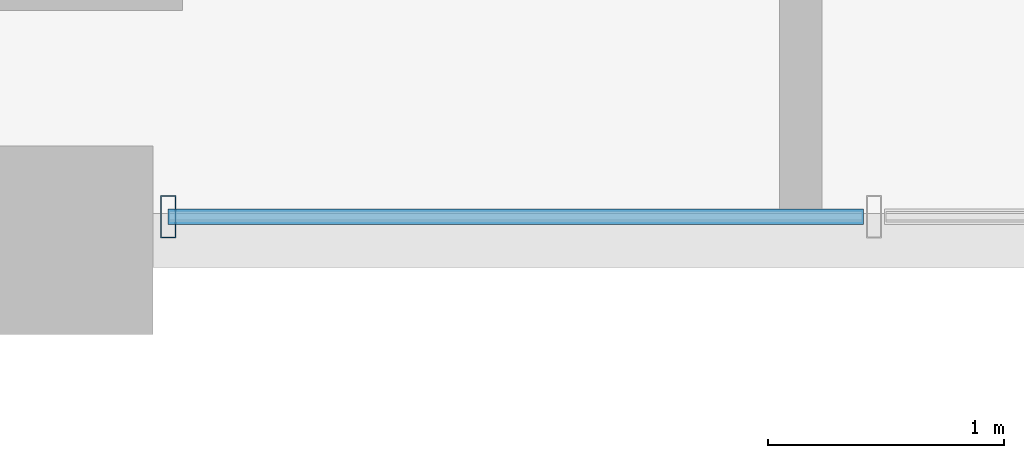
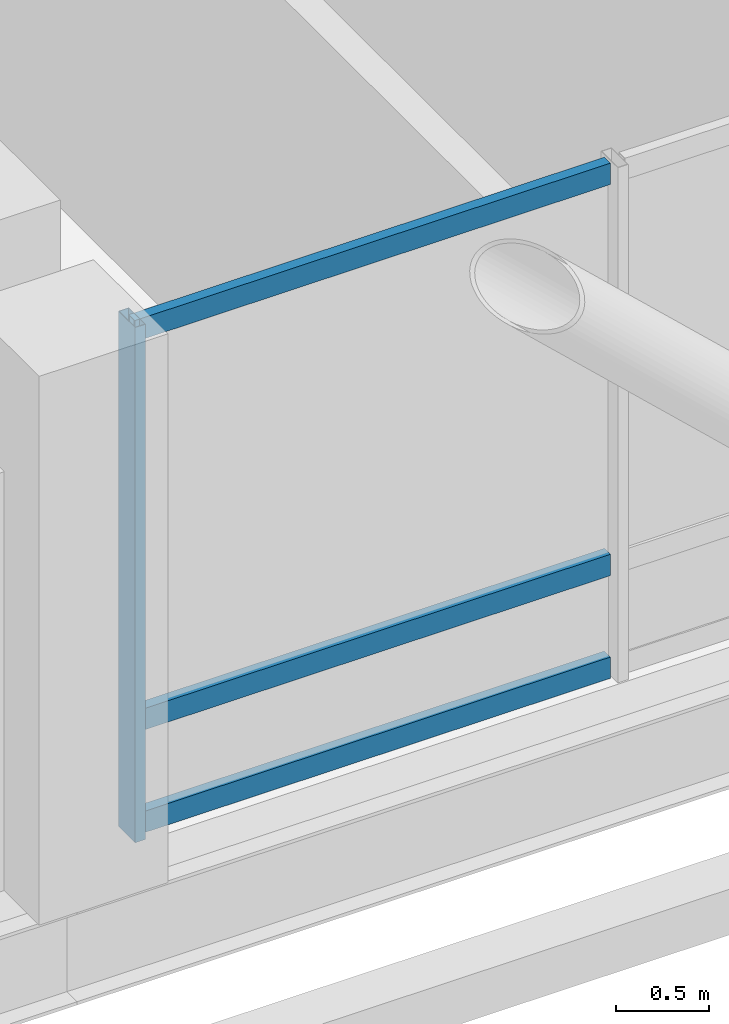
# One storey, part 2 of 26: 4 members, 1 element without a shape of its own.
"""IFC4 building model written with IfcOpenShell, lengths in metres."""

from ifc_helpers import new_model, si_unit, direction, frame, origin, origin_2d, place, context, subcontext, project, spatial, hollow_rectangle, extrude, material, layer, layer_set, material_profile, profile_set, type_object, element, aggregate, save


model = new_model("IFC4")

# Units and contexts
model_context = context("Model", 3, precision=1e-05, world=origin(), true_north=direction((0.0, 1.0)))
body_context = subcontext(model_context, "Body", "Model", "MODEL_VIEW")
ifc_project = project(units=[si_unit("LENGTHUNIT", "METRE"), si_unit("AREAUNIT", "SQUARE_METRE"), si_unit("VOLUMEUNIT", "CUBIC_METRE"), si_unit("PLANEANGLEUNIT", "RADIAN"), si_unit("MASSUNIT", "GRAM", prefix="KILO")], contexts=[model_context])

# Site, building, storey
site_placement = place(None, origin())
site = spatial("IfcSite", under=ifc_project, at=site_placement, CompositionType="ELEMENT")
building_placement = place(site_placement, origin())
building = spatial("IfcBuilding", under=site, at=building_placement, Name="Barlavira Tower and Art Museum", CompositionType="ELEMENT")
storey_placement = place(building_placement, frame((0.0, 0.0, 176.39990234375)))
storey = spatial("IfcBuildingStorey", under=building, at=storey_placement, Name="L45", CompositionType="ELEMENT", Elevation=176.39990234375)

# Curtain wall, members
ifc_material_1 = material(Name="Low-iron coastal laminated glass", Category="glass")
ifc_layer = layer(ifc_material_1, 0.199951171875, Name="Low-iron coastal laminated glass")
ifc_layer_set = layer_set([ifc_layer], Name="Low-iron coastal laminated glass")
curtain_wall_type = type_object("IfcCurtainWallType", Name="Pale-Metal Unitised Curtain Wall Zone 3", PredefinedType="NOTDEFINED", material=ifc_layer_set)
curtain_wall_placement = place(storey_placement, origin())
curtain_wall = element("IfcCurtainWall", 1, at=curtain_wall_placement, inside=storey, type_object=curtain_wall_type, Name="L45 Curtain Wall CW3-L45-S-B3", PredefinedType="NOTDEFINED")
ifc_material_2 = material(Name="Pale anodised aluminium", Category="aluminium")
ifc_material_profile_1 = material_profile(ifc_material_2, hollow_rectangle(XDim=0.06494140625, YDim=0.179931640625, WallThickness=0.00390625, at=origin_2d()), Name="ALU-MULL 65x180x4")
ifc_profile_set_1 = profile_set([ifc_material_profile_1], Name="Pale anodised aluminium")
member_type_1 = type_object("IfcMemberType", Name="Curtain Wall Pale-Metal Mullion 65x180", PredefinedType="MULLION", material=ifc_profile_set_1)
member_1_placement = place(storey_placement, frame((-6.034912109375, -21.39990234375, 0.0), z_axis=(0.0, 0.0, 1.0), x_axis=(1.0, 0.0, 0.0)))
member_1 = element("IfcMember", 2, at=member_1_placement, type_object=member_type_1, Name="CW3-L45-S-B3 Mullion 0", PredefinedType="MULLION", context=body_context, shape_type="SweptSolid", body=[
    extrude(hollow_rectangle(XDim=0.06494140625, YDim=0.179931640625, WallThickness=0.00390625, at=origin_2d()), origin(), (0.0, 0.0, 1.0), 3.380126953125),
])
ifc_material_profile_2 = material_profile(ifc_material_2, hollow_rectangle(XDim=0.06494140625, YDim=0.139892578125, WallThickness=0.00390625, at=origin_2d()), Name="ALU-TRAN 65x140x4")
ifc_profile_set_2 = profile_set([ifc_material_profile_2], Name="Pale anodised aluminium")
member_type_2 = type_object("IfcMemberType", Name="Curtain Wall Pale-Metal Transom 65x140", PredefinedType="USERDEFINED", material=ifc_profile_set_2)
member_2_placement = place(storey_placement, frame((-6.034912109375, -21.39990234375, 0.070068359375), z_axis=(1.0, 0.0, 0.0), x_axis=(0.0, 1.0, 0.0)))
member_2 = element("IfcMember", 3, at=member_2_placement, type_object=member_type_2, Name="CW3-L45-S-B3 Transom 0.1", ObjectType="TRANSOM", PredefinedType="USERDEFINED", context=body_context, shape_type="SweptSolid", body=[
    extrude(hollow_rectangle(XDim=0.06494140625, YDim=0.139892578125, WallThickness=0.00390625, at=origin_2d()), origin(), (0.0, 0.0, 1.0), 2.949951171875),
])
member_3_placement = place(storey_placement, frame((-6.034912109375, -21.39990234375, 0.744140625), z_axis=(1.0, 0.0, 0.0), x_axis=(0.0, 1.0, 0.0)))
member_3 = element("IfcMember", 4, at=member_3_placement, type_object=member_type_2, Name="CW3-L45-S-B3 Transom 0.2", ObjectType="TRANSOM", PredefinedType="USERDEFINED", context=body_context, shape_type="SweptSolid", body=[
    extrude(hollow_rectangle(XDim=0.06494140625, YDim=0.139892578125, WallThickness=0.00390625, at=origin_2d()), origin(), (0.0, 0.0, 1.0), 2.949951171875),
])
member_4_placement = place(storey_placement, frame((-6.034912109375, -21.39990234375, 3.31005859375), z_axis=(1.0, 0.0, 0.0), x_axis=(0.0, 1.0, 0.0)))
member_4 = element("IfcMember", 5, at=member_4_placement, type_object=member_type_2, Name="CW3-L45-S-B3 Transom 0.3", ObjectType="TRANSOM", PredefinedType="USERDEFINED", context=body_context, shape_type="SweptSolid", body=[
    extrude(hollow_rectangle(XDim=0.06494140625, YDim=0.139892578125, WallThickness=0.00390625, at=origin_2d()), origin(), (0.0, 0.0, 1.0), 2.949951171875),
])
aggregate(curtain_wall, [member_1, member_2, member_3, member_4])

save(model, "model.ifc")
